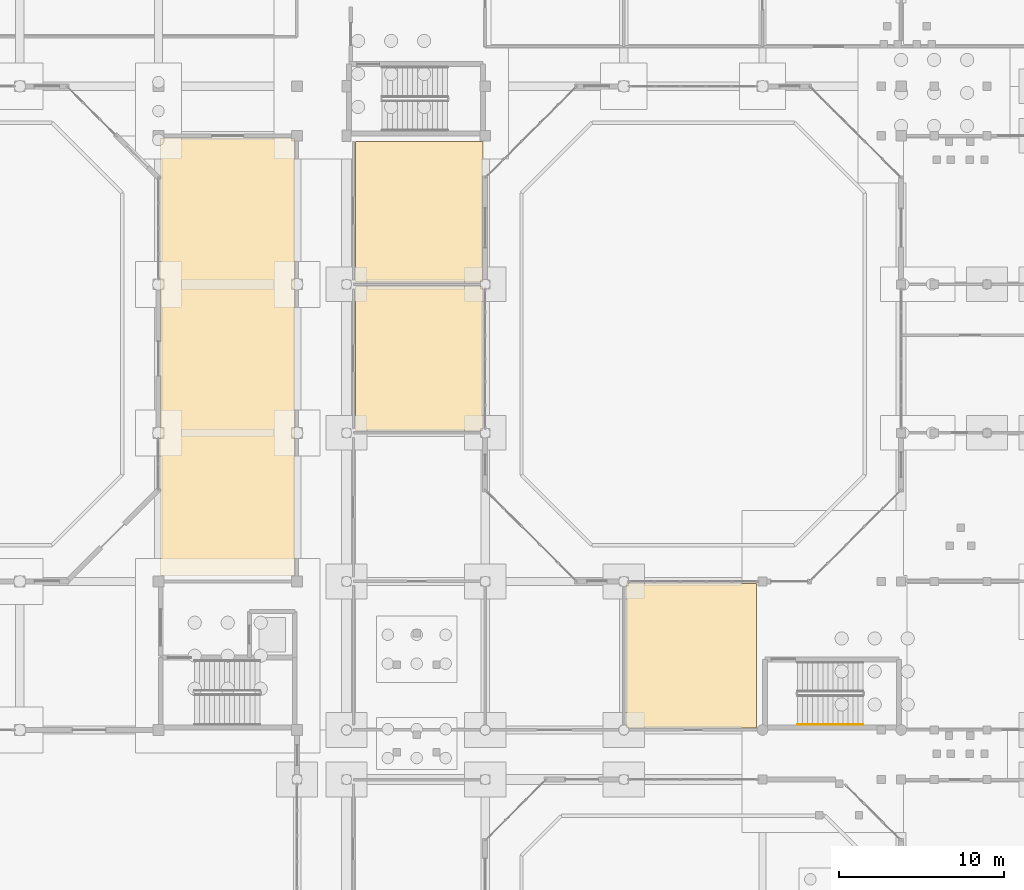
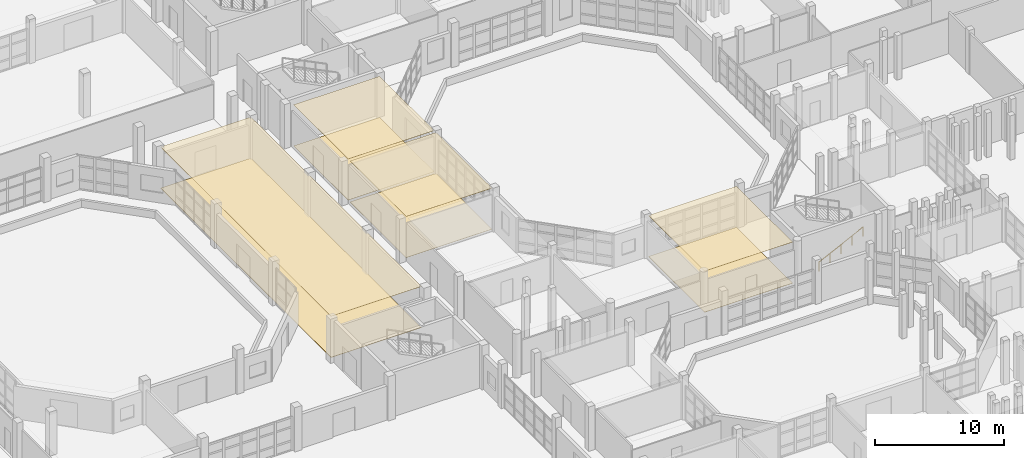
# One storey, part 78 of 88: 8 coverings, 1 railing.
"""IFC4 building model written with IfcOpenShell, lengths in metres."""

from ifc_helpers import new_model, si_unit, direction, frame, origin, origin_2d, place, context, subcontext, project, spatial, polyline, circle, outline, extrude, material, layer, layer_set, type_object, element, save


model = new_model("IFC4")

# Units and contexts
model_context = context("Model", 3, precision=1e-05, world=origin(), true_north=direction((0.0, 1.0)))
body_context = subcontext(model_context, "Body", "Model", "MODEL_VIEW")
ifc_project = project(units=[si_unit("LENGTHUNIT", "METRE"), si_unit("AREAUNIT", "SQUARE_METRE"), si_unit("VOLUMEUNIT", "CUBIC_METRE"), si_unit("PLANEANGLEUNIT", "RADIAN"), si_unit("MASSUNIT", "GRAM", prefix="KILO")], contexts=[model_context])

# Site, building, storey
site_placement = place(None, origin())
site = spatial("IfcSite", under=ifc_project, at=site_placement, CompositionType="ELEMENT")
building_placement = place(site_placement, origin())
building = spatial("IfcBuilding", under=site, at=building_placement, Name="Vanh Quang Courtyard School", CompositionType="ELEMENT")
storey_placement = place(building_placement, origin())
storey = spatial("IfcBuildingStorey", under=building, at=storey_placement, Name="L00", CompositionType="ELEMENT", Elevation=0.0)

# Coverings
ifc_material_1 = material(Name="Perforated mineral-fibre acoustic ceiling board")
ifc_layer_1 = layer(ifc_material_1, 0.02490234375)
ifc_layer_set_1 = layer_set([ifc_layer_1], Name="Perforated mineral-fibre acoustic ceiling board")
covering_type_1 = type_object("IfcCoveringType", Name="COV-CEIL-ACOUSTIC", PredefinedType="CEILING", material=ifc_layer_set_1)
covering_1_placement = place(storey_placement, frame((0.0, 0.0, 3.89501953125)))
element("IfcCovering", 1, at=covering_1_placement, inside=storey, type_object=covering_type_1, Name="Covering CV-CL1 (L00)", PredefinedType="CEILING", context=body_context, shape_type="SweptSolid", body=[
    extrude(outline(polyline([(66.1298828125, 68.260009765625), (66.1298828125, 68.260986328125), (66.130126953125, 68.261962890625), (66.13037109375, 68.262939453125), (66.130859375, 68.263916015625), (66.131103515625, 68.2646484375), (66.131591796875, 68.265625), (66.13232421875, 68.266357421875), (66.1328125, 68.26708984375), (66.1337890625, 68.267578125), (66.134521484375, 68.268310546875), (66.13525390625, 68.268798828125), (66.13623046875, 68.269287109375), (66.13720703125, 68.26953125), (66.137939453125, 68.269775390625), (66.138916015625, 68.27001953125), (66.139892578125, 68.27001953125), (74.239990234375, 68.27001953125), (74.240966796875, 68.27001953125), (74.241943359375, 68.269775390625), (74.242919921875, 68.26953125), (74.243896484375, 68.269287109375), (74.24462890625, 68.268798828125), (74.24560546875, 68.268310546875), (74.246337890625, 68.267578125), (74.2470703125, 68.26708984375), (74.247802734375, 68.266357421875), (74.248291015625, 68.265625), (74.248779296875, 68.2646484375), (74.249267578125, 68.263916015625), (74.24951171875, 68.262939453125), (74.249755859375, 68.261962890625), (74.25, 68.260986328125), (74.25, 68.260009765625), (74.25, 41.75), (66.1298828125, 41.75), (66.1298828125, 68.260009765625)])), origin(), (0.0, 0.0, 1.0), 0.02490234375),
])
covering_2_placement = place(storey_placement, frame((0.0, 0.0, 3.89501953125)))
element("IfcCovering", 2, at=covering_2_placement, inside=storey, type_object=covering_type_1, Name="Covering CV-CL1 (L00)", PredefinedType="CEILING", context=body_context, shape_type="SweptSolid", body=[
    extrude(outline(polyline([(77.9599609375, 50.550048828125), (77.958984375, 50.550048828125), (77.9580078125, 50.55029296875), (77.95703125, 50.55029296875), (77.956298828125, 50.55078125), (77.955322265625, 50.55126953125), (77.954345703125, 50.5517578125), (77.95361328125, 50.55224609375), (77.952880859375, 50.552978515625), (77.952392578125, 50.5537109375), (77.95166015625, 50.554443359375), (77.951171875, 50.555419921875), (77.95068359375, 50.55615234375), (77.950439453125, 50.55712890625), (77.9501953125, 50.55810546875), (77.949951171875, 50.55908203125), (77.949951171875, 50.56005859375), (77.949951171875, 59.260009765625), (77.949951171875, 59.260986328125), (77.9501953125, 59.261962890625), (77.950439453125, 59.262939453125), (77.95068359375, 59.263916015625), (77.951171875, 59.2646484375), (77.95166015625, 59.265625), (77.952392578125, 59.266357421875), (77.952880859375, 59.26708984375), (77.95361328125, 59.267578125), (77.954345703125, 59.268310546875), (77.955322265625, 59.268798828125), (77.956298828125, 59.269287109375), (77.95703125, 59.26953125), (77.9580078125, 59.269775390625), (77.958984375, 59.27001953125), (77.9599609375, 59.27001953125), (85.659912109375, 59.27001953125), (85.660888671875, 59.27001953125), (85.662109375, 59.269775390625), (85.662841796875, 59.26953125), (85.663818359375, 59.269287109375), (85.664794921875, 59.268798828125), (85.66552734375, 59.268310546875), (85.666259765625, 59.267578125), (85.6669921875, 59.26708984375), (85.667724609375, 59.266357421875), (85.668212890625, 59.265625), (85.668701171875, 59.2646484375), (85.669189453125, 59.263916015625), (85.669677734375, 59.262939453125), (85.669921875, 59.261962890625), (85.669921875, 59.260986328125), (85.669921875, 59.260009765625), (85.669921875, 50.56005859375), (85.669921875, 50.55908203125), (85.669921875, 50.55810546875), (85.669677734375, 50.55712890625), (85.669189453125, 50.55615234375), (85.668701171875, 50.555419921875), (85.668212890625, 50.554443359375), (85.667724609375, 50.5537109375), (85.6669921875, 50.552978515625), (85.666259765625, 50.55224609375), (85.66552734375, 50.5517578125), (85.664794921875, 50.55126953125), (85.663818359375, 50.55078125), (85.662841796875, 50.55029296875), (85.662109375, 50.55029296875), (85.660888671875, 50.550048828125), (85.659912109375, 50.550048828125), (77.9599609375, 50.550048828125)])), origin(), (0.0, 0.0, 1.0), 0.02490234375),
])
covering_3_placement = place(storey_placement, frame((0.0, 0.0, 3.89501953125)))
element("IfcCovering", 3, at=covering_3_placement, inside=storey, type_object=covering_type_1, Name="Covering CV-CL1 (L00)", PredefinedType="CEILING", context=body_context, shape_type="SweptSolid", body=[
    extrude(outline(polyline([(77.9599609375, 59.550048828125), (77.958984375, 59.550048828125), (77.9580078125, 59.55029296875), (77.95703125, 59.55029296875), (77.956298828125, 59.55078125), (77.955322265625, 59.55126953125), (77.954345703125, 59.5517578125), (77.95361328125, 59.55224609375), (77.952880859375, 59.552978515625), (77.952392578125, 59.5537109375), (77.95166015625, 59.554443359375), (77.951171875, 59.555419921875), (77.95068359375, 59.55615234375), (77.950439453125, 59.55712890625), (77.9501953125, 59.55810546875), (77.949951171875, 59.55908203125), (77.949951171875, 59.56005859375), (77.949951171875, 68.050048828125), (85.669921875, 68.050048828125), (85.669921875, 59.56005859375), (85.669921875, 59.55908203125), (85.669921875, 59.55810546875), (85.669677734375, 59.55712890625), (85.669189453125, 59.55615234375), (85.668701171875, 59.555419921875), (85.668212890625, 59.554443359375), (85.667724609375, 59.5537109375), (85.6669921875, 59.552978515625), (85.666259765625, 59.55224609375), (85.66552734375, 59.5517578125), (85.664794921875, 59.55126953125), (85.663818359375, 59.55078125), (85.662841796875, 59.55029296875), (85.662109375, 59.55029296875), (85.660888671875, 59.550048828125), (85.659912109375, 59.550048828125), (77.9599609375, 59.550048828125)])), origin(), (0.0, 0.0, 1.0), 0.02490234375),
])
covering_4_placement = place(storey_placement, frame((0.0, 0.0, 3.89501953125)))
element("IfcCovering", 4, at=covering_4_placement, inside=storey, type_object=covering_type_1, Name="Covering CV-CL1 (L00)", PredefinedType="CEILING", context=body_context, shape_type="SweptSolid", body=[
    extrude(outline(polyline([(94.360107421875, 32.530029296875), (94.35888671875, 32.530029296875), (94.35791015625, 32.5302734375), (94.357177734375, 32.530517578125), (94.356201171875, 32.53076171875), (94.355224609375, 32.53125), (94.3544921875, 32.53173828125), (94.353759765625, 32.5322265625), (94.352783203125, 32.532958984375), (94.352294921875, 32.53369140625), (94.351806640625, 32.534423828125), (94.351318359375, 32.535400390625), (94.350830078125, 32.5361328125), (94.350341796875, 32.537109375), (94.35009765625, 32.5380859375), (94.35009765625, 32.5390625), (94.35009765625, 32.5400390625), (94.35009765625, 41.260009765625), (94.35009765625, 41.260986328125), (94.35009765625, 41.261962890625), (94.350341796875, 41.262939453125), (94.350830078125, 41.263916015625), (94.351318359375, 41.2646484375), (94.351806640625, 41.265625), (94.352294921875, 41.266357421875), (94.352783203125, 41.26708984375), (94.353759765625, 41.267578125), (94.3544921875, 41.268310546875), (94.355224609375, 41.268798828125), (94.356201171875, 41.269287109375), (94.357177734375, 41.26953125), (94.35791015625, 41.269775390625), (94.35888671875, 41.27001953125), (94.360107421875, 41.27001953125), (102.25, 41.27001953125), (102.25, 32.530029296875), (94.360107421875, 32.530029296875)])), origin(), (0.0, 0.0, 1.0), 0.02490234375),
])
ifc_material_2 = material(Name="Polished cementitious terrazzo tile", Category="concrete")
ifc_layer_2 = layer(ifc_material_2, 0.02001953125)
ifc_layer_set_2 = layer_set([ifc_layer_2], Name="Polished cementitious terrazzo tile")
covering_type_2 = type_object("IfcCoveringType", Name="COV-FLR-TERRAZZO", PredefinedType="FLOORING", material=ifc_layer_set_2)
covering_5_placement = place(storey_placement, origin())
element("IfcCovering", 5, at=covering_5_placement, inside=storey, type_object=covering_type_2, Name="Covering CV-FL1 (L00)", PredefinedType="FLOORING", context=body_context, shape_type="SweptSolid", body=[
    extrude(outline(polyline([(66.1298828125, 68.260009765625), (66.1298828125, 68.260986328125), (66.130126953125, 68.261962890625), (66.13037109375, 68.262939453125), (66.130859375, 68.263916015625), (66.131103515625, 68.2646484375), (66.131591796875, 68.265625), (66.13232421875, 68.266357421875), (66.1328125, 68.26708984375), (66.1337890625, 68.267578125), (66.134521484375, 68.268310546875), (66.13525390625, 68.268798828125), (66.13623046875, 68.269287109375), (66.13720703125, 68.26953125), (66.137939453125, 68.269775390625), (66.138916015625, 68.27001953125), (66.139892578125, 68.27001953125), (74.239990234375, 68.27001953125), (74.240966796875, 68.27001953125), (74.241943359375, 68.269775390625), (74.242919921875, 68.26953125), (74.243896484375, 68.269287109375), (74.24462890625, 68.268798828125), (74.24560546875, 68.268310546875), (74.246337890625, 68.267578125), (74.2470703125, 68.26708984375), (74.247802734375, 68.266357421875), (74.248291015625, 68.265625), (74.248779296875, 68.2646484375), (74.249267578125, 68.263916015625), (74.24951171875, 68.262939453125), (74.249755859375, 68.261962890625), (74.25, 68.260986328125), (74.25, 68.260009765625), (74.25, 41.75), (66.1298828125, 41.75), (66.1298828125, 68.260009765625)])), origin(), (0.0, 0.0, 1.0), 0.02001953125),
])
covering_6_placement = place(storey_placement, origin())
element("IfcCovering", 6, at=covering_6_placement, inside=storey, type_object=covering_type_2, Name="Covering CV-FL1 (L00)", PredefinedType="FLOORING", context=body_context, shape_type="SweptSolid", body=[
    extrude(outline(polyline([(77.9599609375, 50.550048828125), (77.958984375, 50.550048828125), (77.9580078125, 50.55029296875), (77.95703125, 50.55029296875), (77.956298828125, 50.55078125), (77.955322265625, 50.55126953125), (77.954345703125, 50.5517578125), (77.95361328125, 50.55224609375), (77.952880859375, 50.552978515625), (77.952392578125, 50.5537109375), (77.95166015625, 50.554443359375), (77.951171875, 50.555419921875), (77.95068359375, 50.55615234375), (77.950439453125, 50.55712890625), (77.9501953125, 50.55810546875), (77.949951171875, 50.55908203125), (77.949951171875, 50.56005859375), (77.949951171875, 59.260009765625), (77.949951171875, 59.260986328125), (77.9501953125, 59.261962890625), (77.950439453125, 59.262939453125), (77.95068359375, 59.263916015625), (77.951171875, 59.2646484375), (77.95166015625, 59.265625), (77.952392578125, 59.266357421875), (77.952880859375, 59.26708984375), (77.95361328125, 59.267578125), (77.954345703125, 59.268310546875), (77.955322265625, 59.268798828125), (77.956298828125, 59.269287109375), (77.95703125, 59.26953125), (77.9580078125, 59.269775390625), (77.958984375, 59.27001953125), (77.9599609375, 59.27001953125), (85.659912109375, 59.27001953125), (85.660888671875, 59.27001953125), (85.662109375, 59.269775390625), (85.662841796875, 59.26953125), (85.663818359375, 59.269287109375), (85.664794921875, 59.268798828125), (85.66552734375, 59.268310546875), (85.666259765625, 59.267578125), (85.6669921875, 59.26708984375), (85.667724609375, 59.266357421875), (85.668212890625, 59.265625), (85.668701171875, 59.2646484375), (85.669189453125, 59.263916015625), (85.669677734375, 59.262939453125), (85.669921875, 59.261962890625), (85.669921875, 59.260986328125), (85.669921875, 59.260009765625), (85.669921875, 50.56005859375), (85.669921875, 50.55908203125), (85.669921875, 50.55810546875), (85.669677734375, 50.55712890625), (85.669189453125, 50.55615234375), (85.668701171875, 50.555419921875), (85.668212890625, 50.554443359375), (85.667724609375, 50.5537109375), (85.6669921875, 50.552978515625), (85.666259765625, 50.55224609375), (85.66552734375, 50.5517578125), (85.664794921875, 50.55126953125), (85.663818359375, 50.55078125), (85.662841796875, 50.55029296875), (85.662109375, 50.55029296875), (85.660888671875, 50.550048828125), (85.659912109375, 50.550048828125), (77.9599609375, 50.550048828125)])), origin(), (0.0, 0.0, 1.0), 0.02001953125),
])
covering_7_placement = place(storey_placement, origin())
element("IfcCovering", 7, at=covering_7_placement, inside=storey, type_object=covering_type_2, Name="Covering CV-FL1 (L00)", PredefinedType="FLOORING", context=body_context, shape_type="SweptSolid", body=[
    extrude(outline(polyline([(77.9599609375, 59.550048828125), (77.958984375, 59.550048828125), (77.9580078125, 59.55029296875), (77.95703125, 59.55029296875), (77.956298828125, 59.55078125), (77.955322265625, 59.55126953125), (77.954345703125, 59.5517578125), (77.95361328125, 59.55224609375), (77.952880859375, 59.552978515625), (77.952392578125, 59.5537109375), (77.95166015625, 59.554443359375), (77.951171875, 59.555419921875), (77.95068359375, 59.55615234375), (77.950439453125, 59.55712890625), (77.9501953125, 59.55810546875), (77.949951171875, 59.55908203125), (77.949951171875, 59.56005859375), (77.949951171875, 68.050048828125), (85.669921875, 68.050048828125), (85.669921875, 59.56005859375), (85.669921875, 59.55908203125), (85.669921875, 59.55810546875), (85.669677734375, 59.55712890625), (85.669189453125, 59.55615234375), (85.668701171875, 59.555419921875), (85.668212890625, 59.554443359375), (85.667724609375, 59.5537109375), (85.6669921875, 59.552978515625), (85.666259765625, 59.55224609375), (85.66552734375, 59.5517578125), (85.664794921875, 59.55126953125), (85.663818359375, 59.55078125), (85.662841796875, 59.55029296875), (85.662109375, 59.55029296875), (85.660888671875, 59.550048828125), (85.659912109375, 59.550048828125), (77.9599609375, 59.550048828125)])), origin(), (0.0, 0.0, 1.0), 0.02001953125),
])
covering_8_placement = place(storey_placement, origin())
element("IfcCovering", 8, at=covering_8_placement, inside=storey, type_object=covering_type_2, Name="Covering CV-FL1 (L00)", PredefinedType="FLOORING", context=body_context, shape_type="SweptSolid", body=[
    extrude(outline(polyline([(94.360107421875, 32.530029296875), (94.35888671875, 32.530029296875), (94.35791015625, 32.5302734375), (94.357177734375, 32.530517578125), (94.356201171875, 32.53076171875), (94.355224609375, 32.53125), (94.3544921875, 32.53173828125), (94.353759765625, 32.5322265625), (94.352783203125, 32.532958984375), (94.352294921875, 32.53369140625), (94.351806640625, 32.534423828125), (94.351318359375, 32.535400390625), (94.350830078125, 32.5361328125), (94.350341796875, 32.537109375), (94.35009765625, 32.5380859375), (94.35009765625, 32.5390625), (94.35009765625, 32.5400390625), (94.35009765625, 41.260009765625), (94.35009765625, 41.260986328125), (94.35009765625, 41.261962890625), (94.350341796875, 41.262939453125), (94.350830078125, 41.263916015625), (94.351318359375, 41.2646484375), (94.351806640625, 41.265625), (94.352294921875, 41.266357421875), (94.352783203125, 41.26708984375), (94.353759765625, 41.267578125), (94.3544921875, 41.268310546875), (94.355224609375, 41.268798828125), (94.356201171875, 41.269287109375), (94.357177734375, 41.26953125), (94.35791015625, 41.269775390625), (94.35888671875, 41.27001953125), (94.360107421875, 41.27001953125), (102.25, 41.27001953125), (102.25, 32.530029296875), (94.360107421875, 32.530029296875)])), origin(), (0.0, 0.0, 1.0), 0.02001953125),
])

# Railing
ifc_material_3 = material(Name="Brushed stainless steel", Category="steel")
railing_type = type_object("IfcRailingType", Name="RAIL-HAND-900", PredefinedType="HANDRAIL", material=ifc_material_3)
railing_placement = place(storey_placement, frame((104.72998046875, 32.72998046875, 0.14990234375)))
element("IfcRailing", 9, at=railing_placement, inside=storey, type_object=railing_type, Name="L00 ST-08 stair handrail 1", PredefinedType="HANDRAIL", context=body_context, shape_type="SweptSolid", body=[
    extrude(circle(Radius=0.02392578125, at=origin_2d()), frame((0.0, 0.0, 0.8759765625), z_axis=(0.897336335206, 0.0, 0.441347370582), x_axis=(0.0, 1.0, 0.0)), (0.0, 0.0, 1.0), 4.418701171875),
    extrude(circle(Radius=0.02099609375, at=origin_2d()), origin(), (0.0, 0.0, 1.0), 0.851806640625),
    extrude(circle(Radius=0.02099609375, at=origin_2d()), frame((0.9912109375, 0.0, 0.487548828125)), (0.0, 0.0, 1.0), 0.851806640625),
    extrude(circle(Radius=0.02099609375, at=origin_2d()), frame((1.982421875, 0.0, 0.97509765625)), (0.0, 0.0, 1.0), 0.851806640625),
    extrude(circle(Radius=0.02099609375, at=origin_2d()), frame((2.973876953125, 0.0, 1.462646484375)), (0.0, 0.0, 1.0), 0.851806640625),
    extrude(circle(Radius=0.02099609375, at=origin_2d()), frame((3.965087890625, 0.0, 1.9501953125)), (0.0, 0.0, 1.0), 0.851806640625),
])

save(model, "model.ifc")
